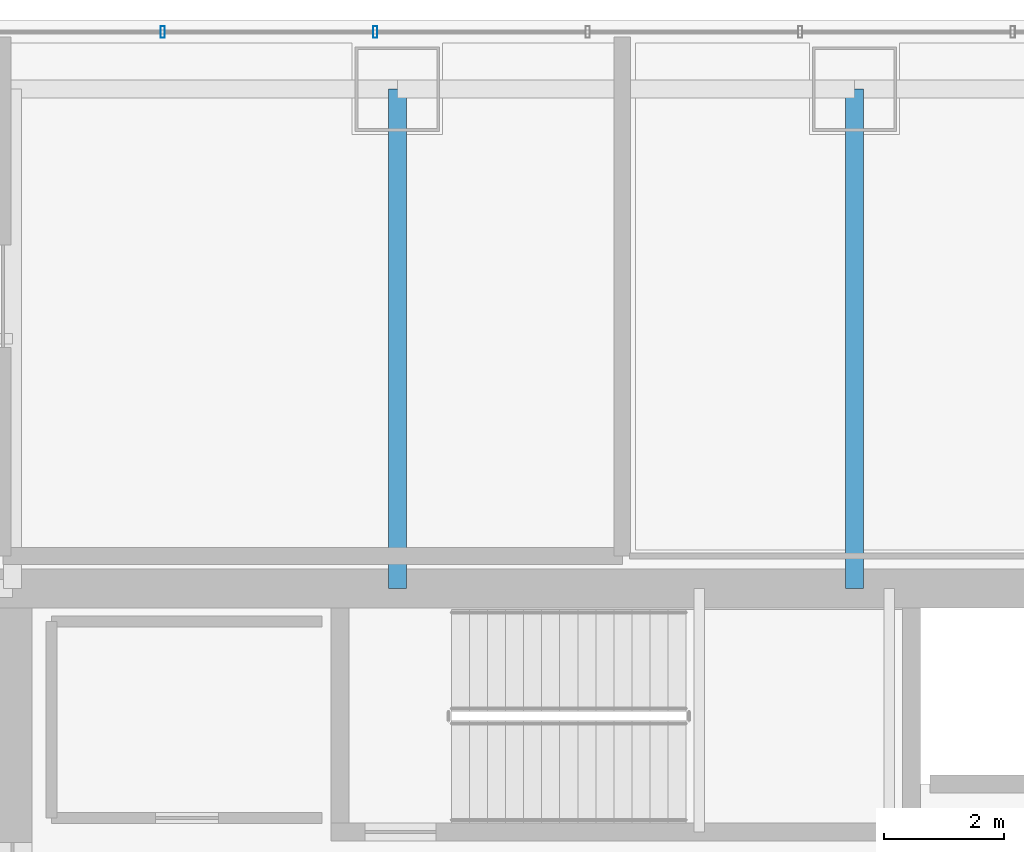
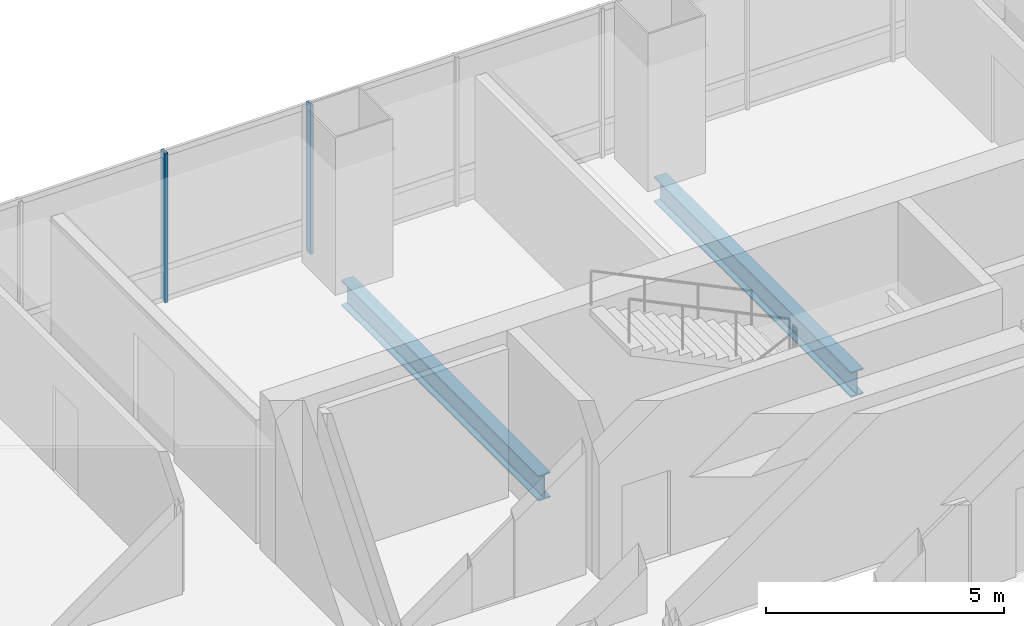
# One storey, part 22 of 36: 2 beams, 2 members, 1 element without a shape of its own.
"""IFC4 building model written with IfcOpenShell, lengths in metres."""

from ifc_helpers import new_model, si_unit, direction, frame, origin, origin_2d, place, context, subcontext, project, spatial, hollow_rectangle, i_section, extrude, material, material_profile, profile_set, type_object, element, aggregate, save


model = new_model("IFC4")

# Units and contexts
model_context = context("Model", 3, precision=1e-05, world=origin(), true_north=direction((0.0, 1.0)))
body_context = subcontext(model_context, "Body", "Model", "MODEL_VIEW")
ifc_project = project(units=[si_unit("LENGTHUNIT", "METRE"), si_unit("AREAUNIT", "SQUARE_METRE"), si_unit("VOLUMEUNIT", "CUBIC_METRE"), si_unit("PLANEANGLEUNIT", "RADIAN"), si_unit("MASSUNIT", "GRAM", prefix="KILO")], contexts=[model_context])

# Site, building, storey
site_placement = place(None, origin())
site = spatial("IfcSite", under=ifc_project, at=site_placement, CompositionType="ELEMENT")
building_placement = place(site_placement, origin())
building = spatial("IfcBuilding", under=site, at=building_placement, Name="Punatoya Terracotta Tower", CompositionType="ELEMENT")
storey_placement = place(building_placement, frame((0.0, 0.0, 180.300048828125)))
storey = spatial("IfcBuildingStorey", under=building, at=storey_placement, Name="L42", CompositionType="ELEMENT", Elevation=180.300048828125)

# Beams
ifc_material_1 = material(Name="Steel S355", Category="steel")
ifc_material_profile_1 = material_profile(ifc_material_1, i_section(OverallWidth=0.300048828125, OverallDepth=0.64990234375, WebThickness=0.01611328125, FlangeThickness=0.031005859375, FilletRadius=0.01806640625, at=origin_2d()))
ifc_profile_set_1 = profile_set([ifc_material_profile_1], Name="Steel S355")
beam_type = type_object("IfcBeamType", Name="BM-PRI-650", PredefinedType="BEAM", material=ifc_profile_set_1)
for number, where, z_axis, x_axis, name in (
    (1, (-3.800048828125, 9.199951171875, -0.545166015625), (0.0, 1.0, 0.0), (-1.0, 0.0, 0.0), "BM-L42-PR-N2"),
    (2, (3.800048828125, 9.199951171875, -0.545166015625), (0.0, 1.0, 0.0), (-1.0, 0.0, 0.0), "BM-L42-PR-N3"),
):
    element("IfcBeam", number, at=place(storey_placement, frame(where, z_axis=z_axis, x_axis=x_axis)), inside=storey, type_object=beam_type, Name=name, PredefinedType="BEAM", context=body_context, shape_type="SweptSolid", body=[
        extrude(i_section(OverallWidth=0.300048828125, OverallDepth=0.64990234375, WebThickness=0.01611328125, FlangeThickness=0.031005859375, FilletRadius=0.01806640625, at=origin_2d()), origin(), (0.0, 0.0, 1.0), 8.300048828125),
    ])

# Curtain wall, members
ifc_material_2 = material(Name="Aluminium 6063-T6 + Double Low-E Glass", Category="aluminium")
curtain_wall_type = type_object("IfcCurtainWallType", Name="CW-M2", PredefinedType="NOTDEFINED", material=ifc_material_2)
curtain_wall_placement = place(storey_placement, origin())
curtain_wall = element("IfcCurtainWall", 3, at=curtain_wall_placement, inside=storey, type_object=curtain_wall_type, Name="L42 Curtain Wall CW-L42-N09-1", PredefinedType="NOTDEFINED")
ifc_material_3 = material(Name="Aluminium 6063-T6", Category="aluminium")
ifc_material_profile_2 = material_profile(ifc_material_3, hollow_rectangle(XDim=0.072021484375, YDim=0.195068359375, WallThickness=0.00439453125, at=origin_2d()))
ifc_profile_set_2 = profile_set([ifc_material_profile_2], Name="Aluminium 6063-T6")
member_type = type_object("IfcMemberType", Name="CW-MUL-M2", PredefinedType="MULLION", material=ifc_profile_set_2)
member_1_placement = place(storey_placement, frame((-4.1669921875, 18.449951171875, 0.0), z_axis=(0.0, 0.0, 1.0), x_axis=(1.0, 0.0, 0.0)))
member_1 = element("IfcMember", 4, at=member_1_placement, type_object=member_type, Name="CW-L42-N09-1 Mullion 06", PredefinedType="MULLION", context=body_context, shape_type="SweptSolid", body=[
    extrude(hollow_rectangle(XDim=0.072021484375, YDim=0.195068359375, WallThickness=0.00439453125, at=origin_2d()), origin(), (0.0, 0.0, 1.0), 3.829833984375),
])
member_2_placement = place(storey_placement, frame((-7.700927734375, 18.449951171875, 0.0), z_axis=(0.0, 0.0, 1.0), x_axis=(1.0, 0.0, 0.0)))
member_2 = element("IfcMember", 5, at=member_2_placement, type_object=member_type, Name="CW-L42-N09-1 Mullion 07", PredefinedType="MULLION", context=body_context, shape_type="SweptSolid", body=[
    extrude(hollow_rectangle(XDim=0.072021484375, YDim=0.195068359375, WallThickness=0.00439453125, at=origin_2d()), origin(), (0.0, 0.0, 1.0), 3.829833984375),
])
aggregate(curtain_wall, [member_1, member_2])

save(model, "model.ifc")
